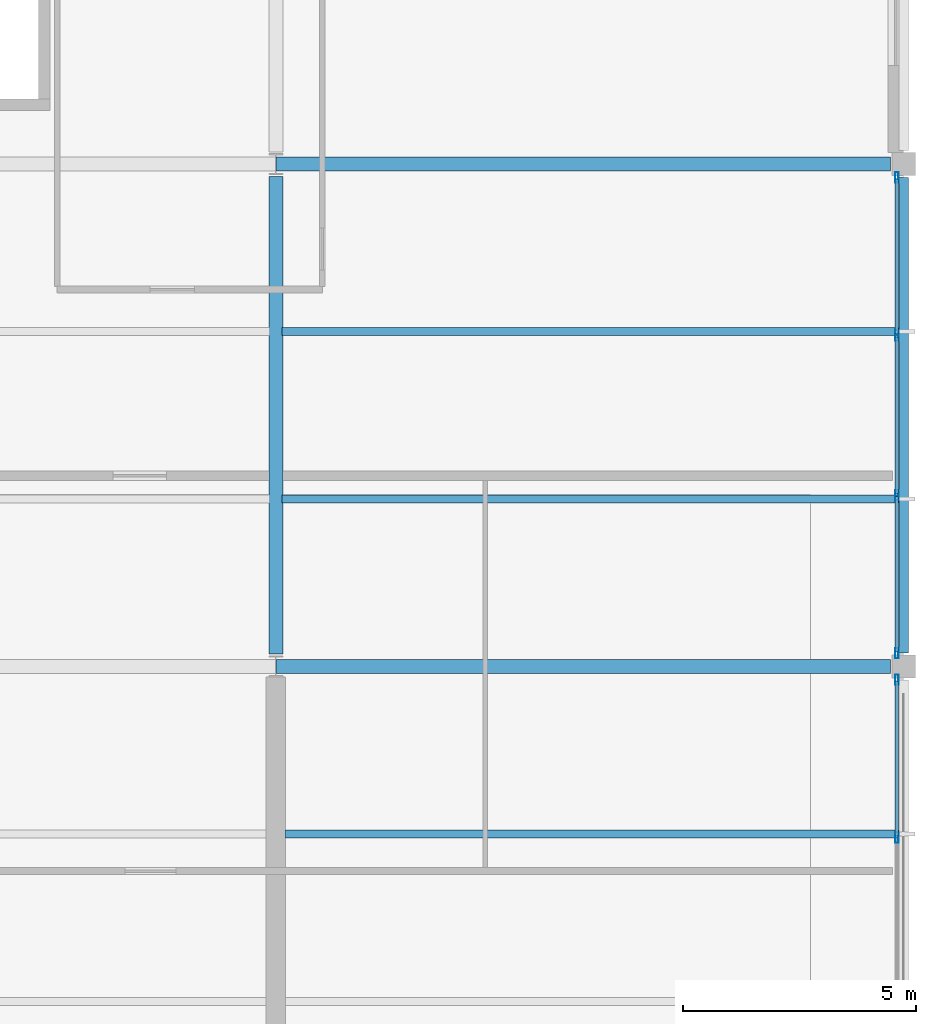
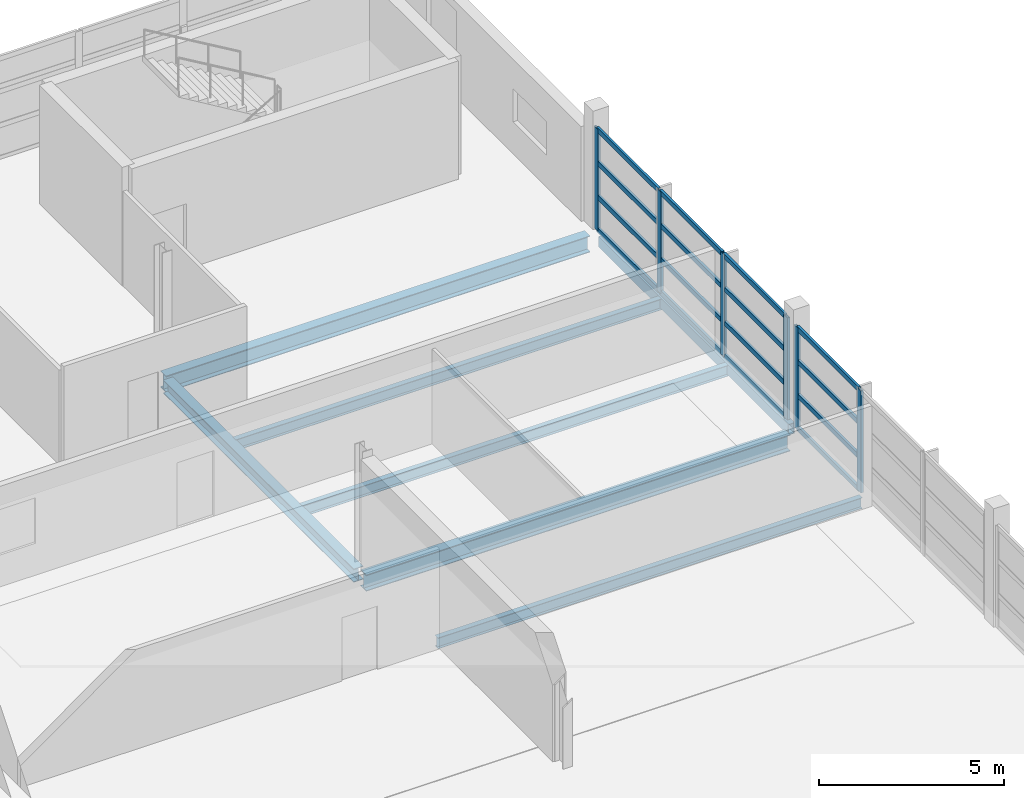
# One storey, part 57 of 110: 22 members, 7 beams, 2 elements without a shape of their own.
"""IFC4 building model written with IfcOpenShell, lengths in metres."""

from ifc_helpers import new_model, si_unit, direction, frame, origin, origin_2d, place, context, subcontext, project, spatial, hollow_rectangle, i_section, extrude, material, layer, layer_set, material_profile, profile_set, type_object, element, aggregate, save


model = new_model("IFC4")

# Units and contexts
model_context = context("Model", 3, precision=1e-05, world=origin(), true_north=direction((0.0, 1.0)))
body_context = subcontext(model_context, "Body", "Model", "MODEL_VIEW")
ifc_project = project(units=[si_unit("LENGTHUNIT", "METRE"), si_unit("AREAUNIT", "SQUARE_METRE"), si_unit("VOLUMEUNIT", "CUBIC_METRE"), si_unit("PLANEANGLEUNIT", "RADIAN"), si_unit("MASSUNIT", "GRAM", prefix="KILO")], contexts=[model_context])

# Site, building, storey
site_placement = place(None, origin())
site = spatial("IfcSite", under=ifc_project, at=site_placement, CompositionType="ELEMENT")
building_placement = place(site_placement, origin())
building = spatial("IfcBuilding", under=site, at=building_placement, Name="Tamarisk Ironworks Central Station", CompositionType="ELEMENT")
storey_placement = place(building_placement, frame((0.0, 0.0, 17.39990234375)))
storey = spatial("IfcBuildingStorey", under=building, at=storey_placement, Name="L03", CompositionType="ELEMENT", Elevation=17.39990234375)

# Beams
ifc_material_1 = material(Name="Structural steel S355J2", Category="steel")
ifc_material_profile_1 = material_profile(ifc_material_1, i_section(OverallWidth=0.169921875, OverallDepth=0.360107421875, WebThickness=0.008056640625, FlangeThickness=0.0126953125, at=origin_2d()), Name="IPE 360")
ifc_profile_set_1 = profile_set([ifc_material_profile_1], Name="Structural steel S355J2")
beam_type_1 = type_object("IfcBeamType", Name="BM-B05", PredefinedType="BEAM", material=ifc_profile_set_1)
beam_1_placement = place(storey_placement, frame((166.699951171875, 97.199951171875, -0.429931640625), z_axis=(1.0, 0.0, 0.0), x_axis=(0.0, 1.0, 0.0)))
element("IfcBeam", 1, at=beam_1_placement, inside=storey, type_object=beam_type_1, Name="L03 secondary composite beam 0215", PredefinedType="BEAM", context=body_context, shape_type="SweptSolid", body=[
    extrude(i_section(OverallWidth=0.169921875, OverallDepth=0.360107421875, WebThickness=0.008056640625, FlangeThickness=0.0126953125, at=origin_2d()), origin(), (0.0, 0.0, 1.0), 13.215087890625),
])
for number, where, z_axis, x_axis, name in (
    (2, (166.635009765625, 104.39990234375, -0.429931640625), (1.0, 0.0, 0.0), (0.0, 1.0, 0.0), "L03 secondary composite beam 0216"),
    (3, (166.635009765625, 108.0, -0.429931640625), (1.0, 0.0, 0.0), (0.0, 1.0, 0.0), "L03 secondary composite beam 0217"),
):
    element("IfcBeam", number, at=place(storey_placement, frame(where, z_axis=z_axis, x_axis=x_axis)), inside=storey, type_object=beam_type_1, Name=name, PredefinedType="BEAM", context=body_context, shape_type="SweptSolid", body=[
        extrude(i_section(OverallWidth=0.169921875, OverallDepth=0.360107421875, WebThickness=0.008056640625, FlangeThickness=0.0126953125, at=origin_2d()), origin(), (0.0, 0.0, 1.0), 13.280029296875),
    ])
ifc_material_profile_2 = material_profile(ifc_material_1, i_section(OverallWidth=0.300048828125, OverallDepth=0.5400390625, WebThickness=0.012451171875, FlangeThickness=0.02392578125, at=origin_2d()), Name="HEA 550")
ifc_profile_set_2 = profile_set([ifc_material_profile_2], Name="Structural steel S355J2")
beam_type_2 = type_object("IfcBeamType", Name="BM-G04", PredefinedType="BEAM", material=ifc_profile_set_2)
for number, where, z_axis, x_axis, name in (
    (4, (166.50390625, 100.800048828125, -0.52001953125), (1.0, 0.0, 0.0), (0.0, 1.0, 0.0), "L03 primary girder X-0648"),
    (5, (166.50390625, 111.60009765625, -0.52001953125), (1.0, 0.0, 0.0), (0.0, 1.0, 0.0), "L03 primary girder X-0657"),
):
    element("IfcBeam", number, at=place(storey_placement, frame(where, z_axis=z_axis, x_axis=x_axis)), inside=storey, type_object=beam_type_2, Name=name, PredefinedType="BEAM", context=body_context, shape_type="SweptSolid", body=[
        extrude(i_section(OverallWidth=0.300048828125, OverallDepth=0.5400390625, WebThickness=0.012451171875, FlangeThickness=0.02392578125, at=origin_2d()), origin(), (0.0, 0.0, 1.0), 13.2080078125),
    ])
ifc_material_profile_3 = material_profile(ifc_material_1, i_section(OverallWidth=0.300048828125, OverallDepth=0.43994140625, WebThickness=0.011474609375, FlangeThickness=0.02099609375, at=origin_2d()), Name="HEA 450")
ifc_profile_set_3 = profile_set([ifc_material_profile_3], Name="Structural steel S355J2")
beam_type_3 = type_object("IfcBeamType", Name="BM-G06", PredefinedType="BEAM", material=ifc_profile_set_3)
beam_2_placement = place(storey_placement, frame((166.5, 101.06298828125, -0.469970703125), z_axis=(0.0, 1.0, 0.0), x_axis=(-1.0, 0.0, 0.0)))
element("IfcBeam", 6, at=beam_2_placement, inside=storey, type_object=beam_type_3, Name="L03 primary girder Y-0698", PredefinedType="BEAM", context=body_context, shape_type="SweptSolid", body=[
    extrude(i_section(OverallWidth=0.300048828125, OverallDepth=0.43994140625, WebThickness=0.011474609375, FlangeThickness=0.02099609375, at=origin_2d()), origin(), (0.0, 0.0, 1.0), 10.27392578125),
])
ifc_material_profile_4 = material_profile(ifc_material_1, hollow_rectangle(XDim=0.199951171875, YDim=0.35009765625, WallThickness=0.012451171875, at=origin_2d()), Name="RHS 350x200x12.5")
ifc_profile_set_4 = profile_set([ifc_material_profile_4], Name="Structural steel S355J2")
beam_type_4 = type_object("IfcBeamType", Name="BM-SP01", PredefinedType="SPANDREL", material=ifc_profile_set_4)
beam_3_placement = place(storey_placement, frame((180.0, 101.087890625, -0.4248046875), z_axis=(0.0, 1.0, 0.0), x_axis=(-1.0, 0.0, 0.0)))
element("IfcBeam", 7, at=beam_3_placement, inside=storey, type_object=beam_type_4, Name="L03 primary girder Y-0704", PredefinedType="SPANDREL", context=body_context, shape_type="SweptSolid", body=[
    extrude(hollow_rectangle(XDim=0.199951171875, YDim=0.35009765625, WallThickness=0.012451171875, at=origin_2d()), origin(), (0.0, 0.0, 1.0), 10.22412109375),
])

# Curtain wall, members
ifc_material_2 = material(Name="Anodized aluminium alloy 6063-T6", Category="aluminium")
ifc_layer = layer(ifc_material_2, 0.179931640625)
ifc_layer_set = layer_set([ifc_layer], Name="Anodized aluminium alloy 6063-T6")
curtain_wall_type = type_object("IfcCurtainWallType", Name="CW-21", PredefinedType="USERDEFINED", material=ifc_layer_set)
curtain_wall_1_placement = place(storey_placement, origin())
curtain_wall_1 = element("IfcCurtainWall", 8, at=curtain_wall_1_placement, inside=storey, type_object=curtain_wall_type, Name="Operations L03 east facade curtain wall 090", ObjectType="GLAZED CURTAIN WALL", PredefinedType="USERDEFINED")
ifc_material_profile_5 = material_profile(ifc_material_2, hollow_rectangle(XDim=0.074951171875, YDim=0.219970703125, WallThickness=0.00390625, at=origin_2d()), Name="ALUM 220x75")
ifc_profile_set_5 = profile_set([ifc_material_profile_5], Name="Anodized aluminium alloy 6063-T6")
member_type_1 = type_object("IfcMemberType", Name="CWM-01", PredefinedType="MULLION", material=ifc_profile_set_5)
member_1_placement = place(storey_placement, frame((179.85009765625, 97.117431640625, 0.0), z_axis=(0.0, 0.0, 1.0), x_axis=(-1.0, 0.0, 0.0)))
member_1 = element("IfcMember", 9, at=member_1_placement, type_object=member_type_1, Name="CW21 mullion 3", PredefinedType="MULLION", context=body_context, shape_type="SweptSolid", body=[
    extrude(hollow_rectangle(XDim=0.074951171875, YDim=0.219970703125, WallThickness=0.00390625, at=origin_2d()), origin(), (0.0, 0.0, 1.0), 3.360107421875),
])
member_2_placement = place(storey_placement, frame((179.85009765625, 100.514404296875, 0.0), z_axis=(0.0, 0.0, 1.0), x_axis=(-1.0, 0.0, 0.0)))
member_2 = element("IfcMember", 10, at=member_2_placement, type_object=member_type_1, Name="CW21 mullion 4", PredefinedType="MULLION", context=body_context, shape_type="SweptSolid", body=[
    extrude(hollow_rectangle(XDim=0.074951171875, YDim=0.219970703125, WallThickness=0.00390625, at=origin_2d()), origin(), (0.0, 0.0, 1.0), 3.360107421875),
])

curtain_wall_2_placement = place(storey_placement, origin())
curtain_wall_2 = element("IfcCurtainWall", 11, at=curtain_wall_2_placement, inside=storey, type_object=curtain_wall_type, Name="Operations L03 east facade curtain wall 100", ObjectType="GLAZED CURTAIN WALL", PredefinedType="USERDEFINED")
member_3_placement = place(storey_placement, frame((179.85009765625, 101.08544921875, 0.0), z_axis=(0.0, 0.0, 1.0), x_axis=(-1.0, 0.0, 0.0)))
member_3 = element("IfcMember", 12, at=member_3_placement, type_object=member_type_1, Name="CW21 mullion 1", PredefinedType="MULLION", context=body_context, shape_type="SweptSolid", body=[
    extrude(hollow_rectangle(XDim=0.074951171875, YDim=0.219970703125, WallThickness=0.00390625, at=origin_2d()), origin(), (0.0, 0.0, 1.0), 3.360107421875),
])
member_4_placement = place(storey_placement, frame((179.85009765625, 104.482666015625, 0.0), z_axis=(0.0, 0.0, 1.0), x_axis=(-1.0, 0.0, 0.0)))
member_4 = element("IfcMember", 13, at=member_4_placement, type_object=member_type_1, Name="CW21 mullion 2", PredefinedType="MULLION", context=body_context, shape_type="SweptSolid", body=[
    extrude(hollow_rectangle(XDim=0.074951171875, YDim=0.219970703125, WallThickness=0.00390625, at=origin_2d()), origin(), (0.0, 0.0, 1.0), 3.360107421875),
])
member_5_placement = place(storey_placement, frame((179.85009765625, 107.917236328125, 0.0), z_axis=(0.0, 0.0, 1.0), x_axis=(-1.0, 0.0, 0.0)))
member_5 = element("IfcMember", 14, at=member_5_placement, type_object=member_type_1, Name="CW21 mullion 3", PredefinedType="MULLION", context=body_context, shape_type="SweptSolid", body=[
    extrude(hollow_rectangle(XDim=0.074951171875, YDim=0.219970703125, WallThickness=0.00390625, at=origin_2d()), origin(), (0.0, 0.0, 1.0), 3.360107421875),
])
member_6_placement = place(storey_placement, frame((179.85009765625, 111.314453125, 0.0), z_axis=(0.0, 0.0, 1.0), x_axis=(-1.0, 0.0, 0.0)))
member_6 = element("IfcMember", 15, at=member_6_placement, type_object=member_type_1, Name="CW21 mullion 4", PredefinedType="MULLION", context=body_context, shape_type="SweptSolid", body=[
    extrude(hollow_rectangle(XDim=0.074951171875, YDim=0.219970703125, WallThickness=0.00390625, at=origin_2d()), origin(), (0.0, 0.0, 1.0), 3.360107421875),
])

# Member
ifc_material_profile_6 = material_profile(ifc_material_2, hollow_rectangle(XDim=0.074951171875, YDim=0.159912109375, WallThickness=0.00390625, at=origin_2d()), Name="ALUM 160x75")
ifc_profile_set_6 = profile_set([ifc_material_profile_6], Name="Anodized aluminium alloy 6063-T6")
member_type_2 = type_object("IfcMemberType", Name="CWT-01", PredefinedType="USERDEFINED", material=ifc_profile_set_6)
member_7_placement = place(storey_placement, frame((179.85009765625, 97.15087890625, 0.03759765625), z_axis=(0.0, 1.0, 0.0), x_axis=(-1.0, 0.0, 0.0)))
member_7 = element("IfcMember", 16, at=member_7_placement, type_object=member_type_2, Name="CW21 transom 3.1", ObjectType="TRANSOM", PredefinedType="USERDEFINED", context=body_context, shape_type="SweptSolid", body=[
    extrude(hollow_rectangle(XDim=0.074951171875, YDim=0.159912109375, WallThickness=0.00390625, at=origin_2d()), origin(), (0.0, 0.0, 1.0), 3.330078125),
])

member_8_placement = place(storey_placement, frame((179.85009765625, 97.15087890625, 1.1201171875), z_axis=(0.0, 1.0, 0.0), x_axis=(-1.0, 0.0, 0.0)))
member_8 = element("IfcMember", 17, at=member_8_placement, type_object=member_type_2, Name="CW21 transom 3.2", ObjectType="TRANSOM", PredefinedType="USERDEFINED", context=body_context, shape_type="SweptSolid", body=[
    extrude(hollow_rectangle(XDim=0.074951171875, YDim=0.159912109375, WallThickness=0.00390625, at=origin_2d()), origin(), (0.0, 0.0, 1.0), 3.330078125),
])

member_9_placement = place(storey_placement, frame((179.85009765625, 97.15087890625, 2.239990234375), z_axis=(0.0, 1.0, 0.0), x_axis=(-1.0, 0.0, 0.0)))
member_9 = element("IfcMember", 18, at=member_9_placement, type_object=member_type_2, Name="CW21 transom 3.3", ObjectType="TRANSOM", PredefinedType="USERDEFINED", context=body_context, shape_type="SweptSolid", body=[
    extrude(hollow_rectangle(XDim=0.074951171875, YDim=0.159912109375, WallThickness=0.00390625, at=origin_2d()), origin(), (0.0, 0.0, 1.0), 3.330078125),
])

member_10_placement = place(storey_placement, frame((179.85009765625, 97.15087890625, 3.322509765625), z_axis=(0.0, 1.0, 0.0), x_axis=(-1.0, 0.0, 0.0)))
member_10 = element("IfcMember", 19, at=member_10_placement, type_object=member_type_2, Name="CW21 transom 3.4", ObjectType="TRANSOM", PredefinedType="USERDEFINED", context=body_context, shape_type="SweptSolid", body=[
    extrude(hollow_rectangle(XDim=0.074951171875, YDim=0.159912109375, WallThickness=0.00390625, at=origin_2d()), origin(), (0.0, 0.0, 1.0), 3.330078125),
])

aggregate(curtain_wall_1, [member_1, member_2, member_7, member_8, member_9, member_10])

member_11_placement = place(storey_placement, frame((179.85009765625, 101.118896484375, 0.03759765625), z_axis=(0.0, 1.0, 0.0), x_axis=(-1.0, 0.0, 0.0)))
member_11 = element("IfcMember", 20, at=member_11_placement, type_object=member_type_2, Name="CW21 transom 1.1", ObjectType="TRANSOM", PredefinedType="USERDEFINED", context=body_context, shape_type="SweptSolid", body=[
    extrude(hollow_rectangle(XDim=0.074951171875, YDim=0.159912109375, WallThickness=0.00390625, at=origin_2d()), origin(), (0.0, 0.0, 1.0), 3.330322265625),
])

member_12_placement = place(storey_placement, frame((179.85009765625, 101.118896484375, 1.1201171875), z_axis=(0.0, 1.0, 0.0), x_axis=(-1.0, 0.0, 0.0)))
member_12 = element("IfcMember", 21, at=member_12_placement, type_object=member_type_2, Name="CW21 transom 1.2", ObjectType="TRANSOM", PredefinedType="USERDEFINED", context=body_context, shape_type="SweptSolid", body=[
    extrude(hollow_rectangle(XDim=0.074951171875, YDim=0.159912109375, WallThickness=0.00390625, at=origin_2d()), origin(), (0.0, 0.0, 1.0), 3.330322265625),
])

member_13_placement = place(storey_placement, frame((179.85009765625, 101.118896484375, 2.239990234375), z_axis=(0.0, 1.0, 0.0), x_axis=(-1.0, 0.0, 0.0)))
member_13 = element("IfcMember", 22, at=member_13_placement, type_object=member_type_2, Name="CW21 transom 1.3", ObjectType="TRANSOM", PredefinedType="USERDEFINED", context=body_context, shape_type="SweptSolid", body=[
    extrude(hollow_rectangle(XDim=0.074951171875, YDim=0.159912109375, WallThickness=0.00390625, at=origin_2d()), origin(), (0.0, 0.0, 1.0), 3.330322265625),
])

member_14_placement = place(storey_placement, frame((179.85009765625, 101.118896484375, 3.322509765625), z_axis=(0.0, 1.0, 0.0), x_axis=(-1.0, 0.0, 0.0)))
member_14 = element("IfcMember", 23, at=member_14_placement, type_object=member_type_2, Name="CW21 transom 1.4", ObjectType="TRANSOM", PredefinedType="USERDEFINED", context=body_context, shape_type="SweptSolid", body=[
    extrude(hollow_rectangle(XDim=0.074951171875, YDim=0.159912109375, WallThickness=0.00390625, at=origin_2d()), origin(), (0.0, 0.0, 1.0), 3.330322265625),
])

member_15_placement = place(storey_placement, frame((179.85009765625, 104.51611328125, 0.03759765625), z_axis=(0.0, 1.0, 0.0), x_axis=(-1.0, 0.0, 0.0)))
member_15 = element("IfcMember", 24, at=member_15_placement, type_object=member_type_2, Name="CW21 transom 2.1", ObjectType="TRANSOM", PredefinedType="USERDEFINED", context=body_context, shape_type="SweptSolid", body=[
    extrude(hollow_rectangle(XDim=0.074951171875, YDim=0.159912109375, WallThickness=0.00390625, at=origin_2d()), origin(), (0.0, 0.0, 1.0), 3.36767578125),
])

member_16_placement = place(storey_placement, frame((179.85009765625, 104.51611328125, 1.1201171875), z_axis=(0.0, 1.0, 0.0), x_axis=(-1.0, 0.0, 0.0)))
member_16 = element("IfcMember", 25, at=member_16_placement, type_object=member_type_2, Name="CW21 transom 2.2", ObjectType="TRANSOM", PredefinedType="USERDEFINED", context=body_context, shape_type="SweptSolid", body=[
    extrude(hollow_rectangle(XDim=0.074951171875, YDim=0.159912109375, WallThickness=0.00390625, at=origin_2d()), origin(), (0.0, 0.0, 1.0), 3.36767578125),
])

member_17_placement = place(storey_placement, frame((179.85009765625, 104.51611328125, 2.239990234375), z_axis=(0.0, 1.0, 0.0), x_axis=(-1.0, 0.0, 0.0)))
member_17 = element("IfcMember", 26, at=member_17_placement, type_object=member_type_2, Name="CW21 transom 2.3", ObjectType="TRANSOM", PredefinedType="USERDEFINED", context=body_context, shape_type="SweptSolid", body=[
    extrude(hollow_rectangle(XDim=0.074951171875, YDim=0.159912109375, WallThickness=0.00390625, at=origin_2d()), origin(), (0.0, 0.0, 1.0), 3.36767578125),
])

member_18_placement = place(storey_placement, frame((179.85009765625, 104.51611328125, 3.322509765625), z_axis=(0.0, 1.0, 0.0), x_axis=(-1.0, 0.0, 0.0)))
member_18 = element("IfcMember", 27, at=member_18_placement, type_object=member_type_2, Name="CW21 transom 2.4", ObjectType="TRANSOM", PredefinedType="USERDEFINED", context=body_context, shape_type="SweptSolid", body=[
    extrude(hollow_rectangle(XDim=0.074951171875, YDim=0.159912109375, WallThickness=0.00390625, at=origin_2d()), origin(), (0.0, 0.0, 1.0), 3.36767578125),
])

member_19_placement = place(storey_placement, frame((179.85009765625, 107.950927734375, 0.03759765625), z_axis=(0.0, 1.0, 0.0), x_axis=(-1.0, 0.0, 0.0)))
member_19 = element("IfcMember", 28, at=member_19_placement, type_object=member_type_2, Name="CW21 transom 3.1", ObjectType="TRANSOM", PredefinedType="USERDEFINED", context=body_context, shape_type="SweptSolid", body=[
    extrude(hollow_rectangle(XDim=0.074951171875, YDim=0.159912109375, WallThickness=0.00390625, at=origin_2d()), origin(), (0.0, 0.0, 1.0), 3.330078125),
])

member_20_placement = place(storey_placement, frame((179.85009765625, 107.950927734375, 1.1201171875), z_axis=(0.0, 1.0, 0.0), x_axis=(-1.0, 0.0, 0.0)))
member_20 = element("IfcMember", 29, at=member_20_placement, type_object=member_type_2, Name="CW21 transom 3.2", ObjectType="TRANSOM", PredefinedType="USERDEFINED", context=body_context, shape_type="SweptSolid", body=[
    extrude(hollow_rectangle(XDim=0.074951171875, YDim=0.159912109375, WallThickness=0.00390625, at=origin_2d()), origin(), (0.0, 0.0, 1.0), 3.330078125),
])

member_21_placement = place(storey_placement, frame((179.85009765625, 107.950927734375, 2.239990234375), z_axis=(0.0, 1.0, 0.0), x_axis=(-1.0, 0.0, 0.0)))
member_21 = element("IfcMember", 30, at=member_21_placement, type_object=member_type_2, Name="CW21 transom 3.3", ObjectType="TRANSOM", PredefinedType="USERDEFINED", context=body_context, shape_type="SweptSolid", body=[
    extrude(hollow_rectangle(XDim=0.074951171875, YDim=0.159912109375, WallThickness=0.00390625, at=origin_2d()), origin(), (0.0, 0.0, 1.0), 3.330078125),
])

member_22_placement = place(storey_placement, frame((179.85009765625, 107.950927734375, 3.322509765625), z_axis=(0.0, 1.0, 0.0), x_axis=(-1.0, 0.0, 0.0)))
member_22 = element("IfcMember", 31, at=member_22_placement, type_object=member_type_2, Name="CW21 transom 3.4", ObjectType="TRANSOM", PredefinedType="USERDEFINED", context=body_context, shape_type="SweptSolid", body=[
    extrude(hollow_rectangle(XDim=0.074951171875, YDim=0.159912109375, WallThickness=0.00390625, at=origin_2d()), origin(), (0.0, 0.0, 1.0), 3.330078125),
])

aggregate(curtain_wall_2, [member_3, member_4, member_5, member_6, member_11, member_12, member_13, member_14, member_15, member_16, member_17, member_18, member_19, member_20, member_21, member_22])

save(model, "model.ifc")
